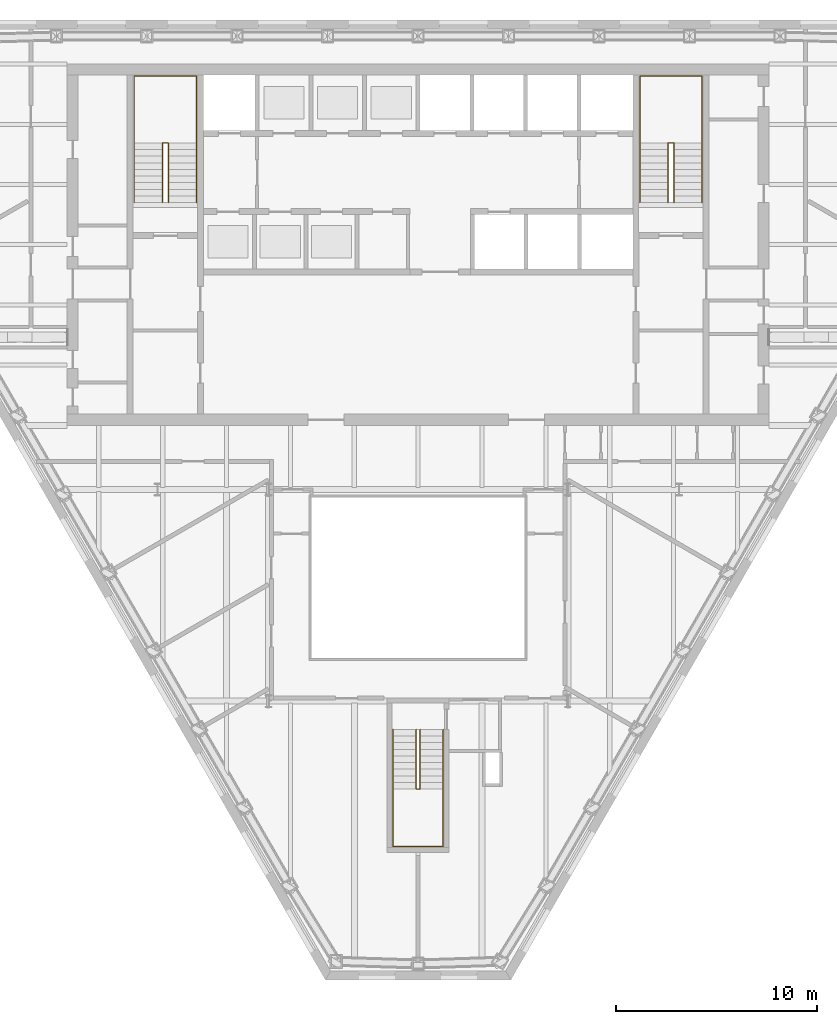
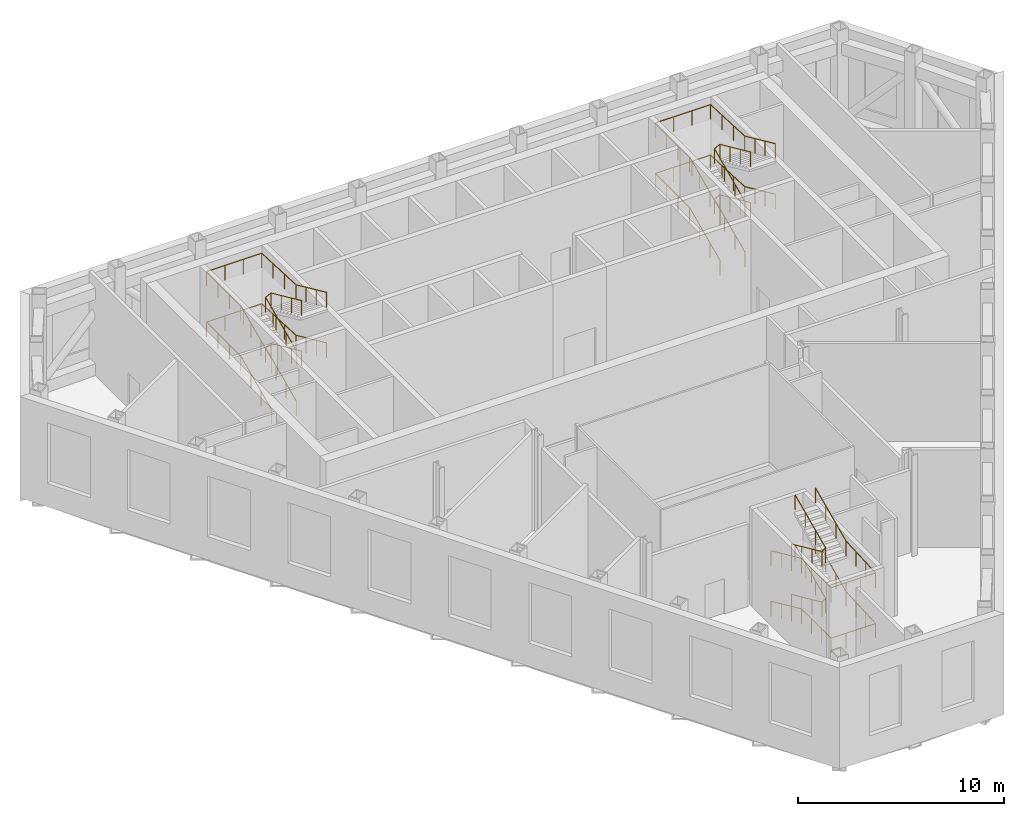
# One storey, part 14 of 15: 12 railings.
"""IFC4 building model written with IfcOpenShell, lengths in metres."""

from ifc_helpers import new_model, si_unit, direction, frame, origin, origin_2d, place, context, subcontext, project, spatial, circle, extrude, material, type_object, element, save


model = new_model("IFC4")

# Units and contexts
model_context = context("Model", 3, precision=1e-05, world=origin(), true_north=direction((0.0, 1.0)))
body_context = subcontext(model_context, "Body", "Model", "MODEL_VIEW")
ifc_project = project(units=[si_unit("LENGTHUNIT", "METRE"), si_unit("AREAUNIT", "SQUARE_METRE"), si_unit("VOLUMEUNIT", "CUBIC_METRE"), si_unit("PLANEANGLEUNIT", "RADIAN"), si_unit("MASSUNIT", "GRAM", prefix="KILO")], contexts=[model_context])

# Site, building, storey
site_placement = place(None, origin())
site = spatial("IfcSite", under=ifc_project, at=site_placement, CompositionType="ELEMENT")
building_placement = place(site_placement, origin())
building = spatial("IfcBuilding", under=site, at=building_placement, Name="Njiva Tower", CompositionType="ELEMENT")
storey_placement = place(building_placement, frame((0.0, 0.0, 133.8)))
storey = spatial("IfcBuildingStorey", under=building, at=storey_placement, Name="L28", CompositionType="ELEMENT", Elevation=133.8)

# Railings
ifc_material = material(Name="Stainless steel", Category="steel")
railing_type = type_object("IfcRailingType", Name="RL1 Stair handrail 900", PredefinedType="HANDRAIL", material=ifc_material)
railing_1_placement = place(storey_placement, frame((-14.15, 11.1, 0.15)))
element("IfcRailing", 1, at=railing_1_placement, inside=storey, type_object=railing_type, Name="Stair A handrail", PredefinedType="HANDRAIL", context=body_context, shape_type="SweptSolid", body=[
    extrude(circle(Radius=0.024, at=origin_2d()), frame((0.0, 0.0, 0.876), z_axis=(0.0, 0.910366477463, 0.413802944301), x_axis=(-1.0, 0.0, 0.0)), (0.0, 0.0, 1.0), 3.2624),
    extrude(circle(Radius=0.024, at=origin_2d()), frame((0.0, 2.97, 2.226), z_axis=(0.0, 1.0, 0.0), x_axis=(-1.0, 0.0, 0.0)), (0.0, 0.0, 1.0), 3.33),
    extrude(circle(Radius=0.024, at=origin_2d()), frame((0.0, 6.3, 2.226), z_axis=(1.0, 0.0, 0.0), x_axis=(0.0, 1.0, 0.0)), (0.0, 0.0, 1.0), 3.1),
    extrude(circle(Radius=0.024, at=origin_2d()), frame((3.1, 6.3, 2.226), z_axis=(0.0, -0.998987013253, 0.044999415011), x_axis=(1.0, 0.0, 0.0)), (0.0, 0.0, 1.0), 3.3334),
    extrude(circle(Radius=0.024, at=origin_2d()), frame((3.1, 2.97, 2.376), z_axis=(0.0, -0.910366477463, 0.413802944301), x_axis=(1.0, 0.0, 0.0)), (0.0, 0.0, 1.0), 3.2624),
    extrude(circle(Radius=0.021, at=origin_2d()), origin(), (0.0, 0.0, 1.0), 0.852),
    extrude(circle(Radius=0.021, at=origin_2d()), frame((0.0, 0.99, 0.45)), (0.0, 0.0, 1.0), 0.852),
    extrude(circle(Radius=0.021, at=origin_2d()), frame((0.0, 1.98, 0.9)), (0.0, 0.0, 1.0), 0.852),
    extrude(circle(Radius=0.021, at=origin_2d()), frame((0.0, 2.97, 1.35)), (0.0, 0.0, 1.0), 0.852),
    extrude(circle(Radius=0.021, at=origin_2d()), frame((0.0, 4.08, 1.35)), (0.0, 0.0, 1.0), 0.852),
    extrude(circle(Radius=0.021, at=origin_2d()), frame((0.0, 5.19, 1.35)), (0.0, 0.0, 1.0), 0.852),
    extrude(circle(Radius=0.021, at=origin_2d()), frame((0.0, 6.3, 1.35)), (0.0, 0.0, 1.0), 0.852),
    extrude(circle(Radius=0.021, at=origin_2d()), frame((1.0333, 6.3, 1.35)), (0.0, 0.0, 1.0), 0.852),
    extrude(circle(Radius=0.021, at=origin_2d()), frame((2.0667, 6.3, 1.35)), (0.0, 0.0, 1.0), 0.852),
    extrude(circle(Radius=0.021, at=origin_2d()), frame((3.1, 6.3, 1.35)), (0.0, 0.0, 1.0), 0.852),
    extrude(circle(Radius=0.021, at=origin_2d()), frame((3.1, 5.19, 1.4)), (0.0, 0.0, 1.0), 0.852),
    extrude(circle(Radius=0.021, at=origin_2d()), frame((3.1, 4.08, 1.45)), (0.0, 0.0, 1.0), 0.852),
    extrude(circle(Radius=0.021, at=origin_2d()), frame((3.1, 2.97, 1.5)), (0.0, 0.0, 1.0), 0.852),
    extrude(circle(Radius=0.021, at=origin_2d()), frame((3.1, 1.98, 1.95)), (0.0, 0.0, 1.0), 0.852),
    extrude(circle(Radius=0.021, at=origin_2d()), frame((3.1, 0.99, 2.4)), (0.0, 0.0, 1.0), 0.852),
    extrude(circle(Radius=0.021, at=origin_2d()), frame((3.1, 0.0, 2.85)), (0.0, 0.0, 1.0), 0.852),
])
railing_2_placement = place(storey_placement, frame((-12.75, 11.1, 0.15)))
element("IfcRailing", 2, at=railing_2_placement, inside=storey, type_object=railing_type, Name="Stair A handrail", PredefinedType="HANDRAIL", context=body_context, shape_type="SweptSolid", body=[
    extrude(circle(Radius=0.024, at=origin_2d()), frame((0.0, 0.0, 0.876), z_axis=(0.0, 0.910366477463, 0.413802944301), x_axis=(-1.0, 0.0, 0.0)), (0.0, 0.0, 1.0), 3.2624),
    extrude(circle(Radius=0.024, at=origin_2d()), frame((0.0, 2.97, 2.226), z_axis=(0.894427191, 0.0, 0.4472135955), x_axis=(0.0, 1.0, 0.0)), (0.0, 0.0, 1.0), 0.3354),
    extrude(circle(Radius=0.024, at=origin_2d()), frame((0.3, 2.97, 2.376), z_axis=(0.0, -0.910366477463, 0.413802944301), x_axis=(1.0, 0.0, 0.0)), (0.0, 0.0, 1.0), 3.2624),
    extrude(circle(Radius=0.021, at=origin_2d()), origin(), (0.0, 0.0, 1.0), 0.852),
    extrude(circle(Radius=0.021, at=origin_2d()), frame((0.0, 0.99, 0.45)), (0.0, 0.0, 1.0), 0.852),
    extrude(circle(Radius=0.021, at=origin_2d()), frame((0.0, 1.98, 0.9)), (0.0, 0.0, 1.0), 0.852),
    extrude(circle(Radius=0.021, at=origin_2d()), frame((0.0, 2.97, 1.35)), (0.0, 0.0, 1.0), 0.852),
    extrude(circle(Radius=0.021, at=origin_2d()), frame((0.3, 2.97, 1.5)), (0.0, 0.0, 1.0), 0.852),
    extrude(circle(Radius=0.021, at=origin_2d()), frame((0.3, 1.98, 1.95)), (0.0, 0.0, 1.0), 0.852),
    extrude(circle(Radius=0.021, at=origin_2d()), frame((0.3, 0.99, 2.4)), (0.0, 0.0, 1.0), 0.852),
    extrude(circle(Radius=0.021, at=origin_2d()), frame((0.3, 0.0, 2.85)), (0.0, 0.0, 1.0), 0.852),
])
railing_3_placement = place(storey_placement, frame((-14.15, 11.1, 3.15)))
element("IfcRailing", 3, at=railing_3_placement, inside=storey, type_object=railing_type, Name="Stair A handrail", PredefinedType="HANDRAIL", context=body_context, shape_type="SweptSolid", body=[
    extrude(circle(Radius=0.024, at=origin_2d()), frame((0.0, 0.0, 0.876), z_axis=(0.0, 0.910366477463, 0.413802944301), x_axis=(-1.0, 0.0, 0.0)), (0.0, 0.0, 1.0), 3.2624),
    extrude(circle(Radius=0.024, at=origin_2d()), frame((0.0, 2.97, 2.226), z_axis=(0.0, 1.0, 0.0), x_axis=(-1.0, 0.0, 0.0)), (0.0, 0.0, 1.0), 3.33),
    extrude(circle(Radius=0.024, at=origin_2d()), frame((0.0, 6.3, 2.226), z_axis=(1.0, 0.0, 0.0), x_axis=(0.0, 1.0, 0.0)), (0.0, 0.0, 1.0), 3.1),
    extrude(circle(Radius=0.024, at=origin_2d()), frame((3.1, 6.3, 2.226), z_axis=(0.0, -0.998987013253, 0.044999415011), x_axis=(1.0, 0.0, 0.0)), (0.0, 0.0, 1.0), 3.3334),
    extrude(circle(Radius=0.024, at=origin_2d()), frame((3.1, 2.97, 2.376), z_axis=(0.0, -0.910366477463, 0.413802944301), x_axis=(1.0, 0.0, 0.0)), (0.0, 0.0, 1.0), 3.2624),
    extrude(circle(Radius=0.021, at=origin_2d()), origin(), (0.0, 0.0, 1.0), 0.852),
    extrude(circle(Radius=0.021, at=origin_2d()), frame((0.0, 0.99, 0.45)), (0.0, 0.0, 1.0), 0.852),
    extrude(circle(Radius=0.021, at=origin_2d()), frame((0.0, 1.98, 0.9)), (0.0, 0.0, 1.0), 0.852),
    extrude(circle(Radius=0.021, at=origin_2d()), frame((0.0, 2.97, 1.35)), (0.0, 0.0, 1.0), 0.852),
    extrude(circle(Radius=0.021, at=origin_2d()), frame((0.0, 4.08, 1.35)), (0.0, 0.0, 1.0), 0.852),
    extrude(circle(Radius=0.021, at=origin_2d()), frame((0.0, 5.19, 1.35)), (0.0, 0.0, 1.0), 0.852),
    extrude(circle(Radius=0.021, at=origin_2d()), frame((0.0, 6.3, 1.35)), (0.0, 0.0, 1.0), 0.852),
    extrude(circle(Radius=0.021, at=origin_2d()), frame((1.0333, 6.3, 1.35)), (0.0, 0.0, 1.0), 0.852),
    extrude(circle(Radius=0.021, at=origin_2d()), frame((2.0667, 6.3, 1.35)), (0.0, 0.0, 1.0), 0.852),
    extrude(circle(Radius=0.021, at=origin_2d()), frame((3.1, 6.3, 1.35)), (0.0, 0.0, 1.0), 0.852),
    extrude(circle(Radius=0.021, at=origin_2d()), frame((3.1, 5.19, 1.4)), (0.0, 0.0, 1.0), 0.852),
    extrude(circle(Radius=0.021, at=origin_2d()), frame((3.1, 4.08, 1.45)), (0.0, 0.0, 1.0), 0.852),
    extrude(circle(Radius=0.021, at=origin_2d()), frame((3.1, 2.97, 1.5)), (0.0, 0.0, 1.0), 0.852),
    extrude(circle(Radius=0.021, at=origin_2d()), frame((3.1, 1.98, 1.95)), (0.0, 0.0, 1.0), 0.852),
    extrude(circle(Radius=0.021, at=origin_2d()), frame((3.1, 0.99, 2.4)), (0.0, 0.0, 1.0), 0.852),
    extrude(circle(Radius=0.021, at=origin_2d()), frame((3.1, 0.0, 2.85)), (0.0, 0.0, 1.0), 0.852),
])
railing_4_placement = place(storey_placement, frame((-12.75, 11.1, 3.15)))
element("IfcRailing", 4, at=railing_4_placement, inside=storey, type_object=railing_type, Name="Stair A handrail", PredefinedType="HANDRAIL", context=body_context, shape_type="SweptSolid", body=[
    extrude(circle(Radius=0.024, at=origin_2d()), frame((0.0, 0.0, 0.876), z_axis=(0.0, 0.910366477463, 0.413802944301), x_axis=(-1.0, 0.0, 0.0)), (0.0, 0.0, 1.0), 3.2624),
    extrude(circle(Radius=0.024, at=origin_2d()), frame((0.0, 2.97, 2.226), z_axis=(0.894427191, 0.0, 0.4472135955), x_axis=(0.0, 1.0, 0.0)), (0.0, 0.0, 1.0), 0.3354),
    extrude(circle(Radius=0.024, at=origin_2d()), frame((0.3, 2.97, 2.376), z_axis=(0.0, -0.910366477463, 0.413802944301), x_axis=(1.0, 0.0, 0.0)), (0.0, 0.0, 1.0), 3.2624),
    extrude(circle(Radius=0.021, at=origin_2d()), origin(), (0.0, 0.0, 1.0), 0.852),
    extrude(circle(Radius=0.021, at=origin_2d()), frame((0.0, 0.99, 0.45)), (0.0, 0.0, 1.0), 0.852),
    extrude(circle(Radius=0.021, at=origin_2d()), frame((0.0, 1.98, 0.9)), (0.0, 0.0, 1.0), 0.852),
    extrude(circle(Radius=0.021, at=origin_2d()), frame((0.0, 2.97, 1.35)), (0.0, 0.0, 1.0), 0.852),
    extrude(circle(Radius=0.021, at=origin_2d()), frame((0.3, 2.97, 1.5)), (0.0, 0.0, 1.0), 0.852),
    extrude(circle(Radius=0.021, at=origin_2d()), frame((0.3, 1.98, 1.95)), (0.0, 0.0, 1.0), 0.852),
    extrude(circle(Radius=0.021, at=origin_2d()), frame((0.3, 0.99, 2.4)), (0.0, 0.0, 1.0), 0.852),
    extrude(circle(Radius=0.021, at=origin_2d()), frame((0.3, 0.0, 2.85)), (0.0, 0.0, 1.0), 0.852),
])
railing_5_placement = place(storey_placement, frame((11.05, 11.1, 0.15)))
element("IfcRailing", 5, at=railing_5_placement, inside=storey, type_object=railing_type, Name="Stair B handrail", PredefinedType="HANDRAIL", context=body_context, shape_type="SweptSolid", body=[
    extrude(circle(Radius=0.024, at=origin_2d()), frame((0.0, 0.0, 0.876), z_axis=(0.0, 0.910366477463, 0.413802944301), x_axis=(-1.0, 0.0, 0.0)), (0.0, 0.0, 1.0), 3.2624),
    extrude(circle(Radius=0.024, at=origin_2d()), frame((0.0, 2.97, 2.226), z_axis=(0.0, 1.0, 0.0), x_axis=(-1.0, 0.0, 0.0)), (0.0, 0.0, 1.0), 3.33),
    extrude(circle(Radius=0.024, at=origin_2d()), frame((0.0, 6.3, 2.226), z_axis=(1.0, 0.0, 0.0), x_axis=(0.0, 1.0, 0.0)), (0.0, 0.0, 1.0), 3.1),
    extrude(circle(Radius=0.024, at=origin_2d()), frame((3.1, 6.3, 2.226), z_axis=(0.0, -0.998987013253, 0.044999415011), x_axis=(1.0, 0.0, 0.0)), (0.0, 0.0, 1.0), 3.3334),
    extrude(circle(Radius=0.024, at=origin_2d()), frame((3.1, 2.97, 2.376), z_axis=(0.0, -0.910366477463, 0.413802944301), x_axis=(1.0, 0.0, 0.0)), (0.0, 0.0, 1.0), 3.2624),
    extrude(circle(Radius=0.021, at=origin_2d()), origin(), (0.0, 0.0, 1.0), 0.852),
    extrude(circle(Radius=0.021, at=origin_2d()), frame((0.0, 0.99, 0.45)), (0.0, 0.0, 1.0), 0.852),
    extrude(circle(Radius=0.021, at=origin_2d()), frame((0.0, 1.98, 0.9)), (0.0, 0.0, 1.0), 0.852),
    extrude(circle(Radius=0.021, at=origin_2d()), frame((0.0, 2.97, 1.35)), (0.0, 0.0, 1.0), 0.852),
    extrude(circle(Radius=0.021, at=origin_2d()), frame((0.0, 4.08, 1.35)), (0.0, 0.0, 1.0), 0.852),
    extrude(circle(Radius=0.021, at=origin_2d()), frame((0.0, 5.19, 1.35)), (0.0, 0.0, 1.0), 0.852),
    extrude(circle(Radius=0.021, at=origin_2d()), frame((0.0, 6.3, 1.35)), (0.0, 0.0, 1.0), 0.852),
    extrude(circle(Radius=0.021, at=origin_2d()), frame((1.0333, 6.3, 1.35)), (0.0, 0.0, 1.0), 0.852),
    extrude(circle(Radius=0.021, at=origin_2d()), frame((2.0667, 6.3, 1.35)), (0.0, 0.0, 1.0), 0.852),
    extrude(circle(Radius=0.021, at=origin_2d()), frame((3.1, 6.3, 1.35)), (0.0, 0.0, 1.0), 0.852),
    extrude(circle(Radius=0.021, at=origin_2d()), frame((3.1, 5.19, 1.4)), (0.0, 0.0, 1.0), 0.852),
    extrude(circle(Radius=0.021, at=origin_2d()), frame((3.1, 4.08, 1.45)), (0.0, 0.0, 1.0), 0.852),
    extrude(circle(Radius=0.021, at=origin_2d()), frame((3.1, 2.97, 1.5)), (0.0, 0.0, 1.0), 0.852),
    extrude(circle(Radius=0.021, at=origin_2d()), frame((3.1, 1.98, 1.95)), (0.0, 0.0, 1.0), 0.852),
    extrude(circle(Radius=0.021, at=origin_2d()), frame((3.1, 0.99, 2.4)), (0.0, 0.0, 1.0), 0.852),
    extrude(circle(Radius=0.021, at=origin_2d()), frame((3.1, 0.0, 2.85)), (0.0, 0.0, 1.0), 0.852),
])
railing_6_placement = place(storey_placement, frame((12.45, 11.1, 0.15)))
element("IfcRailing", 6, at=railing_6_placement, inside=storey, type_object=railing_type, Name="Stair B handrail", PredefinedType="HANDRAIL", context=body_context, shape_type="SweptSolid", body=[
    extrude(circle(Radius=0.024, at=origin_2d()), frame((0.0, 0.0, 0.876), z_axis=(0.0, 0.910366477463, 0.413802944301), x_axis=(-1.0, 0.0, 0.0)), (0.0, 0.0, 1.0), 3.2624),
    extrude(circle(Radius=0.024, at=origin_2d()), frame((0.0, 2.97, 2.226), z_axis=(0.894427191, 0.0, 0.4472135955), x_axis=(0.0, 1.0, 0.0)), (0.0, 0.0, 1.0), 0.3354),
    extrude(circle(Radius=0.024, at=origin_2d()), frame((0.3, 2.97, 2.376), z_axis=(0.0, -0.910366477463, 0.413802944301), x_axis=(1.0, 0.0, 0.0)), (0.0, 0.0, 1.0), 3.2624),
    extrude(circle(Radius=0.021, at=origin_2d()), origin(), (0.0, 0.0, 1.0), 0.852),
    extrude(circle(Radius=0.021, at=origin_2d()), frame((0.0, 0.99, 0.45)), (0.0, 0.0, 1.0), 0.852),
    extrude(circle(Radius=0.021, at=origin_2d()), frame((0.0, 1.98, 0.9)), (0.0, 0.0, 1.0), 0.852),
    extrude(circle(Radius=0.021, at=origin_2d()), frame((0.0, 2.97, 1.35)), (0.0, 0.0, 1.0), 0.852),
    extrude(circle(Radius=0.021, at=origin_2d()), frame((0.3, 2.97, 1.5)), (0.0, 0.0, 1.0), 0.852),
    extrude(circle(Radius=0.021, at=origin_2d()), frame((0.3, 1.98, 1.95)), (0.0, 0.0, 1.0), 0.852),
    extrude(circle(Radius=0.021, at=origin_2d()), frame((0.3, 0.99, 2.4)), (0.0, 0.0, 1.0), 0.852),
    extrude(circle(Radius=0.021, at=origin_2d()), frame((0.3, 0.0, 2.85)), (0.0, 0.0, 1.0), 0.852),
])
railing_7_placement = place(storey_placement, frame((11.05, 11.1, 3.15)))
element("IfcRailing", 7, at=railing_7_placement, inside=storey, type_object=railing_type, Name="Stair B handrail", PredefinedType="HANDRAIL", context=body_context, shape_type="SweptSolid", body=[
    extrude(circle(Radius=0.024, at=origin_2d()), frame((0.0, 0.0, 0.876), z_axis=(0.0, 0.910366477463, 0.413802944301), x_axis=(-1.0, 0.0, 0.0)), (0.0, 0.0, 1.0), 3.2624),
    extrude(circle(Radius=0.024, at=origin_2d()), frame((0.0, 2.97, 2.226), z_axis=(0.0, 1.0, 0.0), x_axis=(-1.0, 0.0, 0.0)), (0.0, 0.0, 1.0), 3.33),
    extrude(circle(Radius=0.024, at=origin_2d()), frame((0.0, 6.3, 2.226), z_axis=(1.0, 0.0, 0.0), x_axis=(0.0, 1.0, 0.0)), (0.0, 0.0, 1.0), 3.1),
    extrude(circle(Radius=0.024, at=origin_2d()), frame((3.1, 6.3, 2.226), z_axis=(0.0, -0.998987013253, 0.044999415011), x_axis=(1.0, 0.0, 0.0)), (0.0, 0.0, 1.0), 3.3334),
    extrude(circle(Radius=0.024, at=origin_2d()), frame((3.1, 2.97, 2.376), z_axis=(0.0, -0.910366477463, 0.413802944301), x_axis=(1.0, 0.0, 0.0)), (0.0, 0.0, 1.0), 3.2624),
    extrude(circle(Radius=0.021, at=origin_2d()), origin(), (0.0, 0.0, 1.0), 0.852),
    extrude(circle(Radius=0.021, at=origin_2d()), frame((0.0, 0.99, 0.45)), (0.0, 0.0, 1.0), 0.852),
    extrude(circle(Radius=0.021, at=origin_2d()), frame((0.0, 1.98, 0.9)), (0.0, 0.0, 1.0), 0.852),
    extrude(circle(Radius=0.021, at=origin_2d()), frame((0.0, 2.97, 1.35)), (0.0, 0.0, 1.0), 0.852),
    extrude(circle(Radius=0.021, at=origin_2d()), frame((0.0, 4.08, 1.35)), (0.0, 0.0, 1.0), 0.852),
    extrude(circle(Radius=0.021, at=origin_2d()), frame((0.0, 5.19, 1.35)), (0.0, 0.0, 1.0), 0.852),
    extrude(circle(Radius=0.021, at=origin_2d()), frame((0.0, 6.3, 1.35)), (0.0, 0.0, 1.0), 0.852),
    extrude(circle(Radius=0.021, at=origin_2d()), frame((1.0333, 6.3, 1.35)), (0.0, 0.0, 1.0), 0.852),
    extrude(circle(Radius=0.021, at=origin_2d()), frame((2.0667, 6.3, 1.35)), (0.0, 0.0, 1.0), 0.852),
    extrude(circle(Radius=0.021, at=origin_2d()), frame((3.1, 6.3, 1.35)), (0.0, 0.0, 1.0), 0.852),
    extrude(circle(Radius=0.021, at=origin_2d()), frame((3.1, 5.19, 1.4)), (0.0, 0.0, 1.0), 0.852),
    extrude(circle(Radius=0.021, at=origin_2d()), frame((3.1, 4.08, 1.45)), (0.0, 0.0, 1.0), 0.852),
    extrude(circle(Radius=0.021, at=origin_2d()), frame((3.1, 2.97, 1.5)), (0.0, 0.0, 1.0), 0.852),
    extrude(circle(Radius=0.021, at=origin_2d()), frame((3.1, 1.98, 1.95)), (0.0, 0.0, 1.0), 0.852),
    extrude(circle(Radius=0.021, at=origin_2d()), frame((3.1, 0.99, 2.4)), (0.0, 0.0, 1.0), 0.852),
    extrude(circle(Radius=0.021, at=origin_2d()), frame((3.1, 0.0, 2.85)), (0.0, 0.0, 1.0), 0.852),
])
railing_8_placement = place(storey_placement, frame((12.45, 11.1, 3.15)))
element("IfcRailing", 8, at=railing_8_placement, inside=storey, type_object=railing_type, Name="Stair B handrail", PredefinedType="HANDRAIL", context=body_context, shape_type="SweptSolid", body=[
    extrude(circle(Radius=0.024, at=origin_2d()), frame((0.0, 0.0, 0.876), z_axis=(0.0, 0.910366477463, 0.413802944301), x_axis=(-1.0, 0.0, 0.0)), (0.0, 0.0, 1.0), 3.2624),
    extrude(circle(Radius=0.024, at=origin_2d()), frame((0.0, 2.97, 2.226), z_axis=(0.894427191, 0.0, 0.4472135955), x_axis=(0.0, 1.0, 0.0)), (0.0, 0.0, 1.0), 0.3354),
    extrude(circle(Radius=0.024, at=origin_2d()), frame((0.3, 2.97, 2.376), z_axis=(0.0, -0.910366477463, 0.413802944301), x_axis=(1.0, 0.0, 0.0)), (0.0, 0.0, 1.0), 3.2624),
    extrude(circle(Radius=0.021, at=origin_2d()), origin(), (0.0, 0.0, 1.0), 0.852),
    extrude(circle(Radius=0.021, at=origin_2d()), frame((0.0, 0.99, 0.45)), (0.0, 0.0, 1.0), 0.852),
    extrude(circle(Radius=0.021, at=origin_2d()), frame((0.0, 1.98, 0.9)), (0.0, 0.0, 1.0), 0.852),
    extrude(circle(Radius=0.021, at=origin_2d()), frame((0.0, 2.97, 1.35)), (0.0, 0.0, 1.0), 0.852),
    extrude(circle(Radius=0.021, at=origin_2d()), frame((0.3, 2.97, 1.5)), (0.0, 0.0, 1.0), 0.852),
    extrude(circle(Radius=0.021, at=origin_2d()), frame((0.3, 1.98, 1.95)), (0.0, 0.0, 1.0), 0.852),
    extrude(circle(Radius=0.021, at=origin_2d()), frame((0.3, 0.99, 2.4)), (0.0, 0.0, 1.0), 0.852),
    extrude(circle(Radius=0.021, at=origin_2d()), frame((0.3, 0.0, 2.85)), (0.0, 0.0, 1.0), 0.852),
])
railing_9_placement = place(storey_placement, frame((-1.25, -15.16, 0.15)))
element("IfcRailing", 9, at=railing_9_placement, inside=storey, type_object=railing_type, Name="Stair C handrail", PredefinedType="HANDRAIL", context=body_context, shape_type="SweptSolid", body=[
    extrude(circle(Radius=0.024, at=origin_2d()), frame((0.0, 0.0, 0.876), z_axis=(0.0, -0.910366477463, 0.413802944301), x_axis=(1.0, 0.0, 0.0)), (0.0, 0.0, 1.0), 3.2624),
    extrude(circle(Radius=0.024, at=origin_2d()), frame((0.0, -2.97, 2.226), z_axis=(0.0, -1.0, 0.0), x_axis=(1.0, 0.0, 0.0)), (0.0, 0.0, 1.0), 2.87),
    extrude(circle(Radius=0.024, at=origin_2d()), frame((0.0, -5.84, 2.226), z_axis=(1.0, 0.0, 0.0), x_axis=(0.0, 1.0, 0.0)), (0.0, 0.0, 1.0), 2.5),
    extrude(circle(Radius=0.024, at=origin_2d()), frame((2.5, -5.84, 2.226), z_axis=(0.0, 0.998636986684, 0.052193570733), x_axis=(-1.0, 0.0, 0.0)), (0.0, 0.0, 1.0), 2.8739),
    extrude(circle(Radius=0.024, at=origin_2d()), frame((2.5, -2.97, 2.376), z_axis=(0.0, 0.910366477463, 0.413802944301), x_axis=(-1.0, 0.0, 0.0)), (0.0, 0.0, 1.0), 3.2624),
    extrude(circle(Radius=0.021, at=origin_2d()), origin(), (0.0, 0.0, 1.0), 0.852),
    extrude(circle(Radius=0.021, at=origin_2d()), frame((0.0, -0.99, 0.45)), (0.0, 0.0, 1.0), 0.852),
    extrude(circle(Radius=0.021, at=origin_2d()), frame((0.0, -1.98, 0.9)), (0.0, 0.0, 1.0), 0.852),
    extrude(circle(Radius=0.021, at=origin_2d()), frame((0.0, -2.97, 1.35)), (0.0, 0.0, 1.0), 0.852),
    extrude(circle(Radius=0.021, at=origin_2d()), frame((0.0, -3.9267, 1.35)), (0.0, 0.0, 1.0), 0.852),
    extrude(circle(Radius=0.021, at=origin_2d()), frame((0.0, -4.8833, 1.35)), (0.0, 0.0, 1.0), 0.852),
    extrude(circle(Radius=0.021, at=origin_2d()), frame((0.0, -5.84, 1.35)), (0.0, 0.0, 1.0), 0.852),
    extrude(circle(Radius=0.021, at=origin_2d()), frame((0.8333, -5.84, 1.35)), (0.0, 0.0, 1.0), 0.852),
    extrude(circle(Radius=0.021, at=origin_2d()), frame((1.6667, -5.84, 1.35)), (0.0, 0.0, 1.0), 0.852),
    extrude(circle(Radius=0.021, at=origin_2d()), frame((2.5, -5.84, 1.35)), (0.0, 0.0, 1.0), 0.852),
    extrude(circle(Radius=0.021, at=origin_2d()), frame((2.5, -4.8833, 1.4)), (0.0, 0.0, 1.0), 0.852),
    extrude(circle(Radius=0.021, at=origin_2d()), frame((2.5, -3.9267, 1.45)), (0.0, 0.0, 1.0), 0.852),
    extrude(circle(Radius=0.021, at=origin_2d()), frame((2.5, -2.97, 1.5)), (0.0, 0.0, 1.0), 0.852),
    extrude(circle(Radius=0.021, at=origin_2d()), frame((2.5, -1.98, 1.95)), (0.0, 0.0, 1.0), 0.852),
    extrude(circle(Radius=0.021, at=origin_2d()), frame((2.5, -0.99, 2.4)), (0.0, 0.0, 1.0), 0.852),
    extrude(circle(Radius=0.021, at=origin_2d()), frame((2.5, 0.0, 2.85)), (0.0, 0.0, 1.0), 0.852),
])
railing_10_placement = place(storey_placement, frame((-0.1, -15.16, 0.15)))
element("IfcRailing", 10, at=railing_10_placement, inside=storey, type_object=railing_type, Name="Stair C handrail", PredefinedType="HANDRAIL", context=body_context, shape_type="SweptSolid", body=[
    extrude(circle(Radius=0.024, at=origin_2d()), frame((0.0, 0.0, 0.876), z_axis=(0.0, -0.910366477463, 0.413802944301), x_axis=(1.0, 0.0, 0.0)), (0.0, 0.0, 1.0), 3.2624),
    extrude(circle(Radius=0.024, at=origin_2d()), frame((0.0, -2.97, 2.226), z_axis=(0.8, 0.0, 0.6), x_axis=(0.0, 1.0, 0.0)), (0.0, 0.0, 1.0), 0.25),
    extrude(circle(Radius=0.024, at=origin_2d()), frame((0.2, -2.97, 2.376), z_axis=(0.0, 0.910366477463, 0.413802944301), x_axis=(-1.0, 0.0, 0.0)), (0.0, 0.0, 1.0), 3.2624),
    extrude(circle(Radius=0.021, at=origin_2d()), origin(), (0.0, 0.0, 1.0), 0.852),
    extrude(circle(Radius=0.021, at=origin_2d()), frame((0.0, -0.99, 0.45)), (0.0, 0.0, 1.0), 0.852),
    extrude(circle(Radius=0.021, at=origin_2d()), frame((0.0, -1.98, 0.9)), (0.0, 0.0, 1.0), 0.852),
    extrude(circle(Radius=0.021, at=origin_2d()), frame((0.0, -2.97, 1.35)), (0.0, 0.0, 1.0), 0.852),
    extrude(circle(Radius=0.021, at=origin_2d()), frame((0.2, -2.97, 1.5)), (0.0, 0.0, 1.0), 0.852),
    extrude(circle(Radius=0.021, at=origin_2d()), frame((0.2, -1.98, 1.95)), (0.0, 0.0, 1.0), 0.852),
    extrude(circle(Radius=0.021, at=origin_2d()), frame((0.2, -0.99, 2.4)), (0.0, 0.0, 1.0), 0.852),
    extrude(circle(Radius=0.021, at=origin_2d()), frame((0.2, 0.0, 2.85)), (0.0, 0.0, 1.0), 0.852),
])
railing_11_placement = place(storey_placement, frame((-1.25, -15.16, 3.15)))
element("IfcRailing", 11, at=railing_11_placement, inside=storey, type_object=railing_type, Name="Stair C handrail", PredefinedType="HANDRAIL", context=body_context, shape_type="SweptSolid", body=[
    extrude(circle(Radius=0.024, at=origin_2d()), frame((0.0, 0.0, 0.876), z_axis=(0.0, -0.910366477463, 0.413802944301), x_axis=(1.0, 0.0, 0.0)), (0.0, 0.0, 1.0), 3.2624),
    extrude(circle(Radius=0.024, at=origin_2d()), frame((0.0, -2.97, 2.226), z_axis=(0.0, -1.0, 0.0), x_axis=(1.0, 0.0, 0.0)), (0.0, 0.0, 1.0), 2.87),
    extrude(circle(Radius=0.024, at=origin_2d()), frame((0.0, -5.84, 2.226), z_axis=(1.0, 0.0, 0.0), x_axis=(0.0, 1.0, 0.0)), (0.0, 0.0, 1.0), 2.5),
    extrude(circle(Radius=0.024, at=origin_2d()), frame((2.5, -5.84, 2.226), z_axis=(0.0, 0.998636986684, 0.052193570733), x_axis=(-1.0, 0.0, 0.0)), (0.0, 0.0, 1.0), 2.8739),
    extrude(circle(Radius=0.024, at=origin_2d()), frame((2.5, -2.97, 2.376), z_axis=(0.0, 0.910366477463, 0.413802944301), x_axis=(-1.0, 0.0, 0.0)), (0.0, 0.0, 1.0), 3.2624),
    extrude(circle(Radius=0.021, at=origin_2d()), origin(), (0.0, 0.0, 1.0), 0.852),
    extrude(circle(Radius=0.021, at=origin_2d()), frame((0.0, -0.99, 0.45)), (0.0, 0.0, 1.0), 0.852),
    extrude(circle(Radius=0.021, at=origin_2d()), frame((0.0, -1.98, 0.9)), (0.0, 0.0, 1.0), 0.852),
    extrude(circle(Radius=0.021, at=origin_2d()), frame((0.0, -2.97, 1.35)), (0.0, 0.0, 1.0), 0.852),
    extrude(circle(Radius=0.021, at=origin_2d()), frame((0.0, -3.9267, 1.35)), (0.0, 0.0, 1.0), 0.852),
    extrude(circle(Radius=0.021, at=origin_2d()), frame((0.0, -4.8833, 1.35)), (0.0, 0.0, 1.0), 0.852),
    extrude(circle(Radius=0.021, at=origin_2d()), frame((0.0, -5.84, 1.35)), (0.0, 0.0, 1.0), 0.852),
    extrude(circle(Radius=0.021, at=origin_2d()), frame((0.8333, -5.84, 1.35)), (0.0, 0.0, 1.0), 0.852),
    extrude(circle(Radius=0.021, at=origin_2d()), frame((1.6667, -5.84, 1.35)), (0.0, 0.0, 1.0), 0.852),
    extrude(circle(Radius=0.021, at=origin_2d()), frame((2.5, -5.84, 1.35)), (0.0, 0.0, 1.0), 0.852),
    extrude(circle(Radius=0.021, at=origin_2d()), frame((2.5, -4.8833, 1.4)), (0.0, 0.0, 1.0), 0.852),
    extrude(circle(Radius=0.021, at=origin_2d()), frame((2.5, -3.9267, 1.45)), (0.0, 0.0, 1.0), 0.852),
    extrude(circle(Radius=0.021, at=origin_2d()), frame((2.5, -2.97, 1.5)), (0.0, 0.0, 1.0), 0.852),
    extrude(circle(Radius=0.021, at=origin_2d()), frame((2.5, -1.98, 1.95)), (0.0, 0.0, 1.0), 0.852),
    extrude(circle(Radius=0.021, at=origin_2d()), frame((2.5, -0.99, 2.4)), (0.0, 0.0, 1.0), 0.852),
    extrude(circle(Radius=0.021, at=origin_2d()), frame((2.5, 0.0, 2.85)), (0.0, 0.0, 1.0), 0.852),
])
railing_12_placement = place(storey_placement, frame((-0.1, -15.16, 3.15)))
element("IfcRailing", 12, at=railing_12_placement, inside=storey, type_object=railing_type, Name="Stair C handrail", PredefinedType="HANDRAIL", context=body_context, shape_type="SweptSolid", body=[
    extrude(circle(Radius=0.024, at=origin_2d()), frame((0.0, 0.0, 0.876), z_axis=(0.0, -0.910366477463, 0.413802944301), x_axis=(1.0, 0.0, 0.0)), (0.0, 0.0, 1.0), 3.2624),
    extrude(circle(Radius=0.024, at=origin_2d()), frame((0.0, -2.97, 2.226), z_axis=(0.8, 0.0, 0.6), x_axis=(0.0, 1.0, 0.0)), (0.0, 0.0, 1.0), 0.25),
    extrude(circle(Radius=0.024, at=origin_2d()), frame((0.2, -2.97, 2.376), z_axis=(0.0, 0.910366477463, 0.413802944301), x_axis=(-1.0, 0.0, 0.0)), (0.0, 0.0, 1.0), 3.2624),
    extrude(circle(Radius=0.021, at=origin_2d()), origin(), (0.0, 0.0, 1.0), 0.852),
    extrude(circle(Radius=0.021, at=origin_2d()), frame((0.0, -0.99, 0.45)), (0.0, 0.0, 1.0), 0.852),
    extrude(circle(Radius=0.021, at=origin_2d()), frame((0.0, -1.98, 0.9)), (0.0, 0.0, 1.0), 0.852),
    extrude(circle(Radius=0.021, at=origin_2d()), frame((0.0, -2.97, 1.35)), (0.0, 0.0, 1.0), 0.852),
    extrude(circle(Radius=0.021, at=origin_2d()), frame((0.2, -2.97, 1.5)), (0.0, 0.0, 1.0), 0.852),
    extrude(circle(Radius=0.021, at=origin_2d()), frame((0.2, -1.98, 1.95)), (0.0, 0.0, 1.0), 0.852),
    extrude(circle(Radius=0.021, at=origin_2d()), frame((0.2, -0.99, 2.4)), (0.0, 0.0, 1.0), 0.852),
    extrude(circle(Radius=0.021, at=origin_2d()), frame((0.2, 0.0, 2.85)), (0.0, 0.0, 1.0), 0.852),
])

save(model, "model.ifc")
